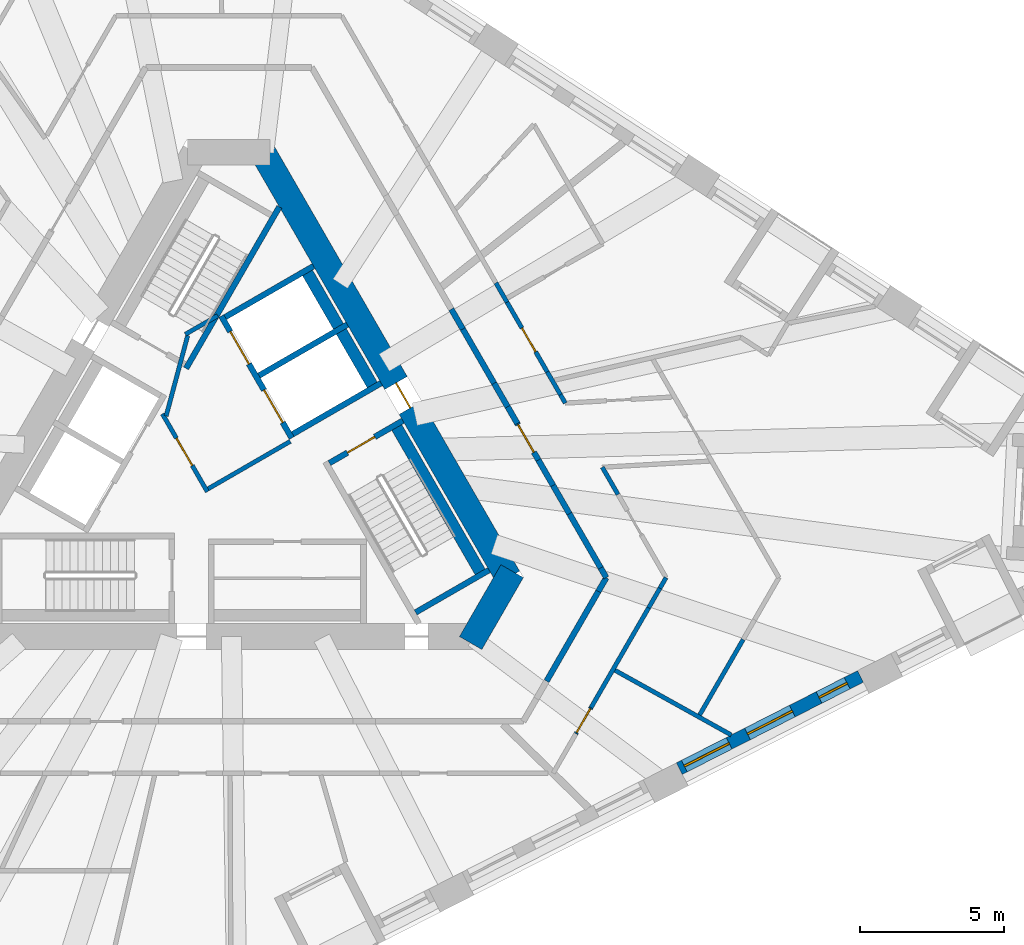
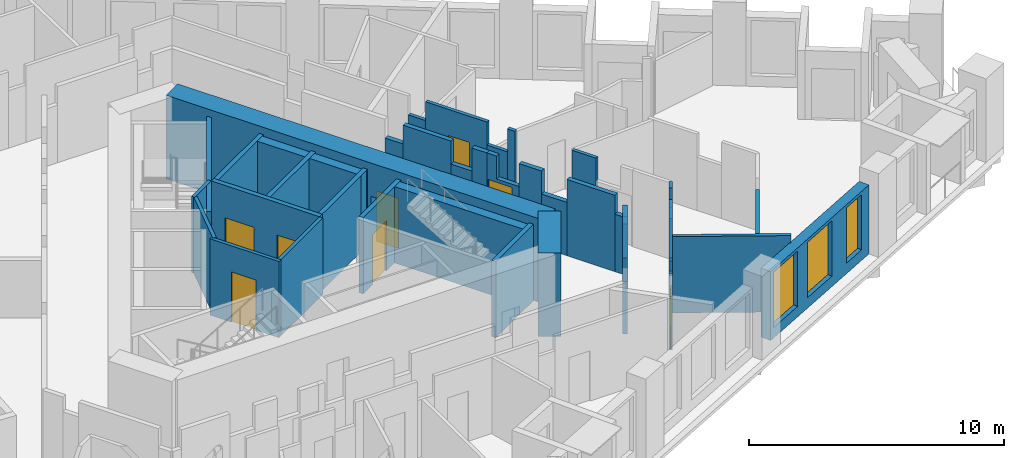
# One storey, part 5 of 13: 38 walls, 8 doors, 3 windows, 11 openings.
"""IFC4 building model written with IfcOpenShell, lengths in metres."""

import ifcopenshell
import ifcopenshell.guid

model = None  # the IFC model being written
_history = None  # IfcOwnerHistory: only IFC2X3 demands one
_inside = {}  # id of a spatial element -> (the spatial element, [elements in it])
_under = {}  # id of a project, library or spatial element -> (it, [spatial elements below it])
_declared = {}  # id of a project -> (the project, [libraries it declares])
_typed = {}  # id of a type object -> (the type object, [elements of that type])
_made_of = {}  # id of a material, layer set ... -> (it, [elements and type objects made of it])


def new_model(schema):
    """Start an empty IFC model of exactly this schema.

    Asked for "IFC4X3", IfcOpenShell would pick the latest addendum, in which some entities
    have other attributes; the version numbers below select the first issue.
    IFC2X3 requires an IfcOwnerHistory on every rooted entity: one is made here for all.
    """
    global model, _history
    if schema == "IFC4X3":
        model = ifcopenshell.file(schema_version=(4, 3, 0, 0))
    else:
        model = ifcopenshell.file(schema=schema)
    _inside.clear()
    _under.clear()
    _declared.clear()
    _typed.clear()
    _made_of.clear()
    _history = None
    if model.schema == "IFC2X3":
        org = make("IfcOrganization", Name="unknown")
        user = make(
            "IfcPersonAndOrganization",
            ThePerson=make("IfcPerson", FamilyName="unknown"),
            TheOrganization=org,
        )
        app = make(
            "IfcApplication",
            ApplicationDeveloper=org,
            Version="unknown",
            ApplicationFullName="unknown",
            ApplicationIdentifier="unknown",
        )
        _history = make(
            "IfcOwnerHistory",
            OwningUser=user,
            OwningApplication=app,
            ChangeAction="ADDED",
            CreationDate=0,
        )
    return model


def make(cls, **values):
    """One entity of the class cls with the attributes given. An attribute that is None is left unset."""
    return model.create_entity(
        cls, **{name: value for name, value in values.items() if value is not None}
    )


def rooted(cls, **values):
    """An entity with a GlobalId (a new one), such as an element, a storey or a relation."""
    return make(cls, GlobalId=ifcopenshell.guid.new(), OwnerHistory=_history, **values)


def si_unit(unit_type, name, prefix=None):
    """IfcSIUnit, for example si_unit("LENGTHUNIT", "METRE", prefix="MILLI")."""
    return make("IfcSIUnit", UnitType=unit_type, Prefix=prefix, Name=name)


def assignment(units):
    """IfcUnitAssignment: the units of a project."""
    return None if units is None else make("IfcUnitAssignment", Units=units)


def point(xyz):
    """IfcCartesianPoint."""
    return None if xyz is None else make("IfcCartesianPoint", Coordinates=xyz)


def direction(xyz):
    """IfcDirection."""
    return None if xyz is None else make("IfcDirection", DirectionRatios=xyz)


def frame(location, z_axis=None, x_axis=None):
    """IfcAxis2Placement3D, a coordinate frame: its origin and axes. An axis left out is left unset."""
    return make(
        "IfcAxis2Placement3D",
        Location=point(location),
        Axis=direction(z_axis),
        RefDirection=direction(x_axis),
    )


def frame_2d(location, x_axis=None):
    """IfcAxis2Placement2D, a coordinate frame in the plane: its origin and x axis."""
    return make(
        "IfcAxis2Placement2D", Location=point(location), RefDirection=direction(x_axis)
    )


def origin():
    """The frame at (0, 0, 0) with its axes left unset."""
    return frame((0.0, 0.0, 0.0))


def place(relative_to, where):
    """IfcLocalPlacement: puts the frame where relative to a parent placement (None: the world)."""
    return make(
        "IfcLocalPlacement", PlacementRelTo=relative_to, RelativePlacement=where
    )


def context(
    kind, dimensions, precision=None, world=None, true_north=None, identifier=None
):
    """IfcGeometricRepresentationContext, for example the 3D "Model" context."""
    return make(
        "IfcGeometricRepresentationContext",
        ContextIdentifier=identifier,
        ContextType=kind,
        CoordinateSpaceDimension=dimensions,
        Precision=precision,
        WorldCoordinateSystem=world,
        TrueNorth=true_north,
    )


def subcontext(parent, identifier, kind, view, scale=None):
    """IfcGeometricRepresentationSubContext, for example "Body" below "Model"."""
    return make(
        "IfcGeometricRepresentationSubContext",
        ContextIdentifier=identifier,
        ContextType=kind,
        ParentContext=parent,
        TargetScale=scale,
        TargetView=view,
    )


def project(units=None, contexts=None):
    """IfcProject with its units and contexts."""
    return rooted(
        "IfcProject",
        Name="project",
        RepresentationContexts=contexts,
        UnitsInContext=assignment(units),
    )


def spatial(cls, under=None, at=None, **own):
    """A site, building, storey or space (cls), placed at a placement, below another one or the project."""
    s = rooted(cls, ObjectPlacement=at, **own)
    if under is not None:
        _under.setdefault(under.id(), (under, []))[1].append(s)
    return s


def polyline(points):
    """IfcPolyline through the points."""
    return make("IfcPolyline", Points=[point(p) for p in points])


def profile(cls, at=None, kind="AREA", **sizes):
    """A parametric profile (cls). Its sizes go by their IFC names, for example OverallWidth=200.0."""
    return make(cls, ProfileType=kind, Position=at, **sizes)


def rectangle(**sizes):
    """IfcRectangleProfileDef."""
    return profile("IfcRectangleProfileDef", **sizes)


def outline(outer, holes=None, kind="AREA"):
    """IfcArbitraryClosedProfileDef: a profile drawn as a closed curve; with holes, ...WithVoids."""
    if holes is None:
        return make("IfcArbitraryClosedProfileDef", ProfileType=kind, OuterCurve=outer)
    return make(
        "IfcArbitraryProfileDefWithVoids",
        ProfileType=kind,
        OuterCurve=outer,
        InnerCurves=holes,
    )


def extrude(swept, where, along, depth):
    """IfcExtrudedAreaSolid: the profile swept, set in the frame where, extruded along a direction by depth."""
    return make(
        "IfcExtrudedAreaSolid",
        SweptArea=swept,
        Position=where,
        ExtrudedDirection=direction(along),
        Depth=depth,
    )


def shape(context_of_items, identifier, shape_type, items):
    """IfcShapeRepresentation: the items that make up one representation, for example the "Body"."""
    return make(
        "IfcShapeRepresentation",
        ContextOfItems=context_of_items,
        RepresentationIdentifier=identifier,
        RepresentationType=shape_type,
        Items=items,
    )


def material(Name=None, Category=None):
    """IfcMaterial."""
    return make("IfcMaterial", Name=Name, Category=Category)


def layer(
    of_material, thickness, ventilated=None, Name=None, Category=None, Priority=None
):
    """IfcMaterialLayer: one layer of a wall or slab, of a material (None: an air gap)."""
    return make(
        "IfcMaterialLayer",
        Material=of_material,
        LayerThickness=thickness,
        IsVentilated=ventilated,
        Name=Name,
        Category=Category,
        Priority=Priority,
    )


def layer_set(layers, Name=None):
    """IfcMaterialLayerSet."""
    return make("IfcMaterialLayerSet", MaterialLayers=layers, LayerSetName=Name)


def made_of(thing, what):
    """Note that an element or type object is made of a material, layer set ...; save() writes the relation."""
    if what is not None:
        _made_of.setdefault(what.id(), (what, []))[1].append(thing)
    return thing


def type_object(cls, material=None, **own):
    """A type object (cls), such as IfcWallType, which elements share."""
    return made_of(rooted(cls, **own), material)


def element(
    cls,
    number,
    at=None,
    inside=None,
    cuts=None,
    type_object=None,
    material=None,
    context=None,
    identifier="Body",
    shape_type=None,
    held_by="IfcProductDefinitionShape",
    body=None,
    shapes=None,
    **own,
):
    """One element of the class cls, such as IfcWall. Its Tag is "e" and its number.

    at: its placement. inside: the storey or other place that contains it. cuts: it is an
    opening in that element (IfcRelVoidsElement). A single representation is given by context,
    identifier, shape_type and body (its items); several are given by shapes. held_by: the class
    of the entity that holds the representations. save() writes the other relations.
    """
    e = rooted(cls, Tag="e%d" % number, ObjectPlacement=at, **own)
    if body is not None:
        shapes = [shape(context, identifier, shape_type, body)]
    if shapes is not None:
        e.Representation = make(held_by, Representations=shapes)
    if inside is not None:
        _inside.setdefault(inside.id(), (inside, []))[1].append(e)
    if cuts is not None:
        rooted(
            "IfcRelVoidsElement", RelatingBuildingElement=cuts, RelatedOpeningElement=e
        )
    if type_object is not None:
        _typed.setdefault(type_object.id(), (type_object, []))[1].append(e)
    return made_of(e, material)


def fill(opening, filler):
    """IfcRelFillsElement: the door or window that sits in an opening."""
    return rooted(
        "IfcRelFillsElement",
        RelatingOpeningElement=opening,
        RelatedBuildingElement=filler,
    )


def aggregate(whole, parts):
    """IfcRelAggregates: a whole, such as a stair, and the parts it consists of."""
    return rooted("IfcRelAggregates", RelatingObject=whole, RelatedObjects=parts)


def save(model, path):
    """Write the relations noted so far, then the file.

    IfcRelAggregates (storeys below a building ...), IfcRelContainedInSpatialStructure (elements
    in a storey), IfcRelDefinesByType, IfcRelAssociatesMaterial and IfcRelDeclares: one each for
    every whole, place, type object, material and project.
    """
    for whole, parts in _under.values():
        aggregate(whole, parts)
    for where, things in _inside.values():
        rooted(
            "IfcRelContainedInSpatialStructure",
            RelatedElements=things,
            RelatingStructure=where,
        )
    for kind, things in _typed.values():
        rooted("IfcRelDefinesByType", RelatedObjects=things, RelatingType=kind)
    for what, things in _made_of.values():
        rooted("IfcRelAssociatesMaterial", RelatedObjects=things, RelatingMaterial=what)
    for by, libraries in _declared.values():
        rooted("IfcRelDeclares", RelatingContext=by, RelatedDefinitions=libraries)
    model.write(path)


model = new_model("IFC4")

# Units and contexts
model_context = context("Model", 3, precision=1e-05, world=origin(), true_north=direction((0.0, 1.0)))
body_context = subcontext(model_context, "Body", "Model", "MODEL_VIEW")
ifc_project = project(units=[si_unit("LENGTHUNIT", "METRE"), si_unit("AREAUNIT", "SQUARE_METRE"), si_unit("VOLUMEUNIT", "CUBIC_METRE"), si_unit("PLANEANGLEUNIT", "RADIAN"), si_unit("MASSUNIT", "GRAM", prefix="KILO")], contexts=[model_context])

# Site, building, storey
site_placement = place(None, origin())
site = spatial("IfcSite", under=ifc_project, at=site_placement, CompositionType="ELEMENT")
building_placement = place(site_placement, origin())
building = spatial("IfcBuilding", under=site, at=building_placement, Name="Tramontana Tower", CompositionType="ELEMENT")
storey_placement = place(building_placement, frame((0.0, 0.0, 153.60009765625)))
storey = spatial("IfcBuildingStorey", under=building, at=storey_placement, Name="L35", CompositionType="ELEMENT", Elevation=153.60009765625)

# Wall
ifc_material_1 = material(Name="Concrete 70 MPa", Category="concrete")
ifc_layer_1 = layer(ifc_material_1, 0.89990234375)
ifc_layer_set_1 = layer_set([ifc_layer_1], Name="Core wall 900 70 MPa")
wall_type_1 = type_object("IfcWallType", Name="Core wall 900 70 MPa", PredefinedType="SHEAR", material=ifc_layer_set_1)
wall_1_placement = place(storey_placement, frame((8.414794921875, -6.52490234375, 0.0), z_axis=(0.0, 0.0, 1.0), x_axis=(0.500059191753, 0.865991226713, 0.0)))
element("IfcWall", 1, at=wall_1_placement, inside=storey, type_object=wall_type_1, Name="Core wall C4 L35", PredefinedType="SHEAR", context=body_context, shape_type="SweptSolid", body=[
    extrude(rectangle(XDim=2.886962890625, YDim=0.89990234375, at=frame_2d((1.443359375, 0.0))), origin(), (0.0, 0.0, 1.0), 4.0),
])

# Wall, opening, door
wall_2_placement = place(storey_placement, frame((9.728515625, -4.25, 0.0), z_axis=(0.0, 0.0, 1.0), x_axis=(-0.500004814304, 0.866022624227, 0.0)))
wall_2 = element("IfcWall", 2, at=wall_2_placement, inside=storey, type_object=wall_type_1, Name="Core wall C5 L35", PredefinedType="SHEAR", context=body_context, shape_type="SweptSolid", body=[
    extrude(rectangle(XDim=17.089599609375, YDim=0.89990234375, at=frame_2d((8.544921875, 0.0))), origin(), (0.0, 0.0, 1.0), 4.0),
])
opening_1_placement = place(wall_2_placement, frame((6.81982421875, 0.0, 0.0)))
opening_1 = element("IfcOpeningElement", 3, at=opening_1_placement, cuts=wall_2, Name="Opening RG3", PredefinedType="OPENING", context=body_context, shape_type="SweptSolid", body=[
    extrude(rectangle(XDim=1.0, YDim=2.39990234375, at=frame_2d((0.5, 1.199951171875))), frame((0.0, 0.4599609375, 0.0), z_axis=(0.0, -1.0, 0.0), x_axis=(1.0, 0.0, 0.0)), (0.0, 0.0, 1.0), 0.919921875),
])
ifc_material_2 = material(Name="Painted steel", Category="steel")
door_type_1 = type_object("IfcDoorType", Name="RING DOOR 1000", OperationType="SINGLE_SWING_LEFT", PredefinedType="DOOR", material=ifc_material_2)
door_1_placement = place(opening_1_placement, origin())
door_1 = element("IfcDoor", 4, at=door_1_placement, inside=storey, type_object=door_type_1, Name="Door RG3", OperationType="SINGLE_SWING_RIGHT", OverallHeight=2.39990234375, OverallWidth=1.0, PredefinedType="DOOR", context=body_context, shape_type="SweptSolid", body=[
    extrude(rectangle(XDim=1.0, YDim=2.39990234375, at=frame_2d((0.5, 1.199951171875))), frame((0.0, 0.02490234375, 0.0), z_axis=(0.0, -1.0, 0.0), x_axis=(1.0, 0.0, 0.0)), (0.0, 0.0, 1.0), 0.050048828125),
])
fill(opening_1, door_1)

# Walls
ifc_material_3 = material(Name="Blockwork", Category="masonry")
ifc_layer_2 = layer(ifc_material_3, 0.199951171875)
ifc_layer_set_2 = layer_set([ifc_layer_2], Name="ENTRY WALL 200")
wall_type_2 = type_object("IfcWallType", Name="ENTRY WALL 200", PredefinedType="SOLIDWALL", material=ifc_layer_set_2)
wall_3_placement = place(storey_placement, frame((7.7421875, 5.090087890625, 0.0), z_axis=(0.0, 0.0, 1.0), x_axis=(0.500109828528, -0.865961984968, 0.0)))
element("IfcWall", 5, at=wall_3_placement, inside=storey, type_object=wall_type_2, Name="Wall v32-ew0-3", PredefinedType="SOLIDWALL", context=body_context, shape_type="SweptSolid", body=[
    extrude(rectangle(XDim=0.800048828125, YDim=0.199951171875, at=frame_2d((0.39990234375, 0.0))), origin(), (0.0, 0.0, 1.0), 2.75),
])
wall_4_placement = place(storey_placement, frame((8.142333984375, 4.397216796875, 0.0), z_axis=(0.0, 0.0, 1.0), x_axis=(0.499948868167, -0.866054922749, 0.0)))
element("IfcWall", 6, at=wall_4_placement, inside=storey, type_object=wall_type_2, Name="Wall v32-ew0-4", PredefinedType="SOLIDWALL", context=body_context, shape_type="SweptSolid", body=[
    extrude(rectangle(XDim=2.177978515625, YDim=0.199951171875, at=frame_2d((1.0888671875, 0.0))), origin(), (0.0, 0.0, 1.0), 3.64990234375),
])
wall_5_placement = place(storey_placement, frame((9.231201171875, 2.510986328125, 0.0), z_axis=(0.0, 0.0, 1.0), x_axis=(0.500118100521, -0.865957207679, 0.0)))
element("IfcWall", 7, at=wall_5_placement, inside=storey, type_object=wall_type_2, Name="Wall v32-ew0-5", PredefinedType="SOLIDWALL", context=body_context, shape_type="SweptSolid", body=[
    extrude(rectangle(XDim=0.943603515625, YDim=0.199951171875, at=frame_2d((0.4716796875, 0.0))), origin(), (0.0, 0.0, 1.0), 2.5498046875),
])
wall_6_placement = place(storey_placement, frame((9.703125, 1.69384765625, 0.0), z_axis=(0.0, 0.0, 1.0), x_axis=(0.499764284991, -0.866161451144, 0.0)))
element("IfcWall", 8, at=wall_6_placement, inside=storey, type_object=wall_type_2, Name="Wall v32-ew0-6", PredefinedType="SOLIDWALL", context=body_context, shape_type="SweptSolid", body=[
    extrude(rectangle(XDim=0.673583984375, YDim=0.199951171875, at=frame_2d((0.3369140625, 0.0))), origin(), (0.0, 0.0, 1.0), 3.64990234375),
])

# Wall, opening, door
wall_7_placement = place(storey_placement, frame((10.039794921875, 1.1103515625, 0.0), z_axis=(0.0, 0.0, 1.0), x_axis=(0.499977492351, -0.866038398192, 0.0)))
wall_7 = element("IfcWall", 9, at=wall_7_placement, inside=storey, type_object=wall_type_2, Name="Wall v32-ew0-7", PredefinedType="SOLIDWALL", context=body_context, shape_type="SweptSolid", body=[
    extrude(outline(polyline([(0.0, 0.0), (1.4638671875, 0.0), (1.4638671875, 2.5498046875), (0.4404296875, 2.5498046875), (0.4404296875, 3.64990234375), (0.0, 3.64990234375), (0.0, 0.0)])), frame((0.0, 0.10009765625, 0.0), z_axis=(0.0, -1.0, 0.0), x_axis=(1.0, 0.0, 0.0)), (0.0, 0.0, 1.0), 0.199951171875),
])
opening_2_placement = place(wall_7_placement, frame((0.050048828125, 0.0, 0.0)))
opening_2 = element("IfcOpeningElement", 10, at=opening_2_placement, cuts=wall_7, Name="Opening B3C-23", PredefinedType="OPENING", context=body_context, shape_type="SweptSolid", body=[
    extrude(rectangle(XDim=1.10009765625, YDim=2.39990234375, at=frame_2d((0.550048828125, 1.199951171875))), frame((0.0, 0.10986328125, 0.0), z_axis=(0.0, -1.0, 0.0), x_axis=(1.0, 0.0, 0.0)), (0.0, 0.0, 1.0), 0.219970703125),
])
ifc_material_4 = material(Name="Painted timber", Category="wood")
door_type_2 = type_object("IfcDoorType", Name="DOOR ENTRY 1100", OperationType="SINGLE_SWING_LEFT", PredefinedType="DOOR", material=ifc_material_4)
door_2_placement = place(opening_2_placement, origin())
door_2 = element("IfcDoor", 11, at=door_2_placement, inside=storey, type_object=door_type_2, Name="Door B3C-23", OperationType="SINGLE_SWING_LEFT", OverallHeight=2.39990234375, OverallWidth=1.10009765625, PredefinedType="DOOR", context=body_context, shape_type="SweptSolid", body=[
    extrude(rectangle(XDim=1.10009765625, YDim=2.39990234375, at=frame_2d((0.550048828125, 1.199951171875))), frame((0.0, 0.02490234375, 0.0), z_axis=(0.0, -1.0, 0.0), x_axis=(1.0, 0.0, 0.0)), (0.0, 0.0, 1.0), 0.050048828125),
])
fill(opening_2, door_2)

# Walls
wall_8_placement = place(storey_placement, frame((10.771728515625, -0.157470703125, 0.0), z_axis=(0.0, 0.0, 1.0), x_axis=(0.500170198676, -0.865927117231, 0.0)))
element("IfcWall", 12, at=wall_8_placement, inside=storey, type_object=wall_type_2, Name="Wall v32-ew0-8", PredefinedType="SOLIDWALL", context=body_context, shape_type="SweptSolid", body=[
    extrude(rectangle(XDim=1.022705078125, YDim=0.199951171875, at=frame_2d((0.51123046875, 0.0))), origin(), (0.0, 0.0, 1.0), 3.64990234375),
])
wall_9_placement = place(storey_placement, frame((11.283203125, -1.04296875, 0.0), z_axis=(0.0, 0.0, 1.0), x_axis=(0.500001688065, -0.866024429177, 0.0)))
element("IfcWall", 13, at=wall_9_placement, inside=storey, type_object=wall_type_2, Name="Wall v32-ew0-9", PredefinedType="SOLIDWALL", context=body_context, shape_type="SweptSolid", body=[
    extrude(rectangle(XDim=1.13525390625, YDim=0.199951171875, at=frame_2d((0.567626953125, 0.0))), origin(), (0.0, 0.0, 1.0), 2.5498046875),
])
wall_10_placement = place(storey_placement, frame((11.850830078125, -2.026123046875, 0.0), z_axis=(0.0, 0.0, 1.0), x_axis=(0.50001992892, -0.866013897511, 0.0)))
element("IfcWall", 14, at=wall_10_placement, inside=storey, type_object=wall_type_2, Name="Wall v32-ew0-10", PredefinedType="SOLIDWALL", context=body_context, shape_type="SweptSolid", body=[
    extrude(rectangle(XDim=2.1787109375, YDim=0.199951171875, at=frame_2d((1.08935546875, 0.0))), origin(), (0.0, 0.0, 1.0), 3.64990234375),
])
wall_11_placement = place(storey_placement, frame((12.940185546875, -3.912841796875, 0.0), z_axis=(0.0, 0.0, 1.0), x_axis=(0.499849133735, -0.866112488944, 0.0)))
element("IfcWall", 15, at=wall_11_placement, inside=storey, type_object=wall_type_2, Name="Wall v32-ew0-11", PredefinedType="SOLIDWALL", context=body_context, shape_type="SweptSolid", body=[
    extrude(rectangle(XDim=0.38916015625, YDim=0.199951171875, at=frame_2d((0.194580078125, 0.0))), origin(), (0.0, 0.0, 1.0), 2.75),
])
wall_12_placement = place(storey_placement, frame((13.134765625, -4.25, 0.0), z_axis=(0.0, 0.0, 1.0), x_axis=(-0.499887958344, -0.866090081402, 0.0)))
element("IfcWall", 16, at=wall_12_placement, inside=storey, type_object=wall_type_2, Name="Wall v32-ew1-0", PredefinedType="SOLIDWALL", context=body_context, shape_type="SweptSolid", body=[
    extrude(rectangle(XDim=0.553466796875, YDim=0.199951171875, at=frame_2d((0.27685546875, 0.0))), origin(), (0.0, 0.0, 1.0), 2.75),
])
wall_13_placement = place(storey_placement, frame((12.858154296875, -4.729248046875, 0.0), z_axis=(0.0, 0.0, 1.0), x_axis=(-0.500031425827, -0.866007259314, 0.0)))
element("IfcWall", 17, at=wall_13_placement, inside=storey, type_object=wall_type_2, Name="Wall v32-ew1-1", PredefinedType="SOLIDWALL", context=body_context, shape_type="SweptSolid", body=[
    extrude(rectangle(XDim=3.602294921875, YDim=0.199951171875, at=frame_2d((1.80126953125, 0.0))), origin(), (0.0, 0.0, 1.0), 3.64990234375),
])

# Wall, openings, windows
ifc_material_5 = material(Name="Precast concrete 60 MPa", Category="concrete")
ifc_layer_3 = layer(ifc_material_5, 0.449951171875)
ifc_layer_set_3 = layer_set([ifc_layer_3], Name="Precast concrete 60 MPa, 450 mm")
wall_type_3 = type_object("IfcWallType", Name="EW1 Stone-faced precast wall 450", PredefinedType="SOLIDWALL", material=ifc_layer_set_3)
wall_14_placement = place(storey_placement, frame((15.6767578125, -10.8955078125, 0.0), z_axis=(0.0, 0.0, 1.0), x_axis=(0.891004189171, 0.45399508244, 0.0)))
wall_14 = element("IfcWall", 18, at=wall_14_placement, inside=storey, type_object=wall_type_3, Name="External wall L35 face 1 bay 5", PredefinedType="SOLIDWALL", context=body_context, shape_type="SweptSolid", body=[
    extrude(rectangle(XDim=7.071533203125, YDim=0.449951171875, at=frame_2d((3.53564453125, 0.0))), origin(), (0.0, 0.0, 1.0), 3.2998046875),
])
opening_3_placement = place(wall_14_placement, frame((0.1953125, 0.0, 0.5)))
opening_3 = element("IfcOpeningElement", 19, at=opening_3_placement, cuts=wall_14, Name="Opening M2", PredefinedType="OPENING", context=body_context, shape_type="SweptSolid", body=[
    extrude(rectangle(XDim=1.75, YDim=2.64990234375, at=frame_2d((0.875, 1.324951171875))), frame((0.0, 0.23486328125, 0.0), z_axis=(0.0, -1.0, 0.0), x_axis=(1.0, 0.0, 0.0)), (0.0, 0.0, 1.0), 0.469970703125),
])
opening_4_placement = place(wall_14_placement, frame((2.660888671875, 0.0, 0.5)))
opening_4 = element("IfcOpeningElement", 20, at=opening_4_placement, cuts=wall_14, Name="Opening M2", PredefinedType="OPENING", context=body_context, shape_type="SweptSolid", body=[
    extrude(rectangle(XDim=1.75, YDim=2.64990234375, at=frame_2d((0.875, 1.324951171875))), frame((0.0, 0.23486328125, 0.0), z_axis=(0.0, -1.0, 0.0), x_axis=(1.0, 0.0, 0.0)), (0.0, 0.0, 1.0), 0.469970703125),
])
opening_5_placement = place(wall_14_placement, frame((5.451416015625, 0.0, 0.5)))
opening_5 = element("IfcOpeningElement", 21, at=opening_5_placement, cuts=wall_14, Name="Opening N2", PredefinedType="OPENING", context=body_context, shape_type="SweptSolid", body=[
    extrude(rectangle(XDim=1.10009765625, YDim=2.64990234375, at=frame_2d((0.550048828125, 1.324951171875))), frame((0.0, 0.23486328125, 0.0), z_axis=(0.0, -1.0, 0.0), x_axis=(1.0, 0.0, 0.0)), (0.0, 0.0, 1.0), 0.469970703125),
])
ifc_material_6 = material(Name="Aluminum frame, double glazing unit", Category="aluminium")
window_type_1 = type_object("IfcWindowType", Name="M2 Window 1.75 x 2.65", PartitioningType="SINGLE_PANEL", PredefinedType="WINDOW", material=ifc_material_6)
window_1_placement = place(opening_3_placement, origin())
window_1 = element("IfcWindow", 22, at=window_1_placement, inside=storey, type_object=window_type_1, Name="Window M2 L35 face 1 module 13", OverallHeight=2.64990234375, OverallWidth=1.75, PartitioningType="SINGLE_PANEL", PredefinedType="WINDOW", context=body_context, shape_type="SweptSolid", body=[
    extrude(rectangle(XDim=1.75, YDim=2.64990234375, at=frame_2d((0.875, 1.324951171875))), frame((0.0, 0.030029296875, 0.0), z_axis=(0.0, -1.0, 0.0), x_axis=(1.0, 0.0, 0.0)), (0.0, 0.0, 1.0), 0.06005859375),
])
fill(opening_3, window_1)
window_2_placement = place(opening_4_placement, origin())
window_2 = element("IfcWindow", 23, at=window_2_placement, inside=storey, type_object=window_type_1, Name="Window M2 L35 face 1 module 14", OverallHeight=2.64990234375, OverallWidth=1.75, PartitioningType="SINGLE_PANEL", PredefinedType="WINDOW", context=body_context, shape_type="SweptSolid", body=[
    extrude(rectangle(XDim=1.75, YDim=2.64990234375, at=frame_2d((0.875, 1.324951171875))), frame((0.0, 0.030029296875, 0.0), z_axis=(0.0, -1.0, 0.0), x_axis=(1.0, 0.0, 0.0)), (0.0, 0.0, 1.0), 0.06005859375),
])
fill(opening_4, window_2)
ifc_material_7 = material(Name="Aluminum frame, double glazing unit", Category="aluminium")
window_type_2 = type_object("IfcWindowType", Name="N2 Window 1.1 x 2.65", PartitioningType="SINGLE_PANEL", PredefinedType="WINDOW", material=ifc_material_7)
window_3_placement = place(opening_5_placement, origin())
window_3 = element("IfcWindow", 24, at=window_3_placement, inside=storey, type_object=window_type_2, Name="Window N2 L35 face 1 module 15", OverallHeight=2.64990234375, OverallWidth=1.10009765625, PartitioningType="SINGLE_PANEL", PredefinedType="WINDOW", context=body_context, shape_type="SweptSolid", body=[
    extrude(rectangle(XDim=1.10009765625, YDim=2.64990234375, at=frame_2d((0.550048828125, 1.324951171875))), frame((0.0, 0.030029296875, 0.0), z_axis=(0.0, -1.0, 0.0), x_axis=(1.0, 0.0, 0.0)), (0.0, 0.0, 1.0), 0.06005859375),
])
fill(opening_5, window_3)

# Wall, opening, door
ifc_material_8 = material(Name="Gypsum board partition")
ifc_layer_4 = layer(ifc_material_8, 0.14990234375)
ifc_layer_set_4 = layer_set([ifc_layer_4], Name="PARTITION 150")
wall_type_4 = type_object("IfcWallType", Name="PARTITION 150", PredefinedType="PARTITIONING", material=ifc_layer_set_4)
wall_15_placement = place(storey_placement, frame((-0.744140625, -1.260986328125, 0.0), z_axis=(0.0, 0.0, 1.0), x_axis=(-0.500004234368, 0.866022959057, 0.0)))
wall_15 = element("IfcWall", 25, at=wall_15_placement, inside=storey, type_object=wall_type_4, Name="Wall ff-front", PredefinedType="PARTITIONING", context=body_context, shape_type="SweptSolid", body=[
    extrude(rectangle(XDim=3.125, YDim=0.14990234375, at=frame_2d((1.5625, 0.0))), origin(), (0.0, 0.0, 1.0), 3.64990234375),
])
opening_6_placement = place(wall_15_placement, frame((1.050048828125, 0.0, 0.0)))
opening_6 = element("IfcOpeningElement", 26, at=opening_6_placement, cuts=wall_15, Name="Opening FD1", PredefinedType="OPENING", context=body_context, shape_type="SweptSolid", body=[
    extrude(rectangle(XDim=1.10009765625, YDim=2.39990234375, at=frame_2d((0.550048828125, 1.199951171875))), frame((0.0, 0.0849609375, 0.0), z_axis=(0.0, -1.0, 0.0), x_axis=(1.0, 0.0, 0.0)), (0.0, 0.0, 1.0), 0.169921875),
])
door_3_placement = place(opening_6_placement, origin())
door_3 = element("IfcDoor", 27, at=door_3_placement, inside=storey, type_object=door_type_2, Name="Door FD1", OperationType="SINGLE_SWING_LEFT", OverallHeight=2.39990234375, OverallWidth=1.10009765625, PredefinedType="DOOR", context=body_context, shape_type="SweptSolid", body=[
    extrude(rectangle(XDim=1.10009765625, YDim=2.39990234375, at=frame_2d((0.550048828125, 1.199951171875))), frame((0.0, 0.02490234375, 0.0), z_axis=(0.0, -1.0, 0.0), x_axis=(1.0, 0.0, 0.0)), (0.0, 0.0, 1.0), 0.050048828125),
])
fill(opening_6, door_3)

# Walls
wall_16_placement = place(storey_placement, frame((-0.716796875, -1.15869140625, 0.0), z_axis=(0.0, 0.0, 1.0), x_axis=(0.866008176907, 0.50002983664, 0.0)))
element("IfcWall", 28, at=wall_16_placement, inside=storey, type_object=wall_type_4, Name="Wall ff-end0", PredefinedType="PARTITIONING", context=body_context, shape_type="SweptSolid", body=[
    extrude(rectangle(XDim=3.300048828125, YDim=0.14990234375, at=frame_2d((1.64990234375, 0.0))), origin(), (0.0, 0.0, 1.0), 3.64990234375),
])
wall_17_placement = place(storey_placement, frame((-2.177978515625, 1.372314453125, 0.0), z_axis=(0.0, 0.0, 1.0), x_axis=(0.258808958833, 0.96592852884, 0.0)))
element("IfcWall", 29, at=wall_17_placement, inside=storey, type_object=wall_type_4, Name="Wall ff-diag", PredefinedType="PARTITIONING", context=body_context, shape_type="SweptSolid", body=[
    extrude(rectangle(XDim=2.902587890625, YDim=0.14990234375, at=frame_2d((1.451171875, 0.0))), origin(), (0.0, 0.0, 1.0), 3.64990234375),
])
wall_18_placement = place(storey_placement, frame((-1.509765625, 4.21484375, 0.0), z_axis=(0.0, 0.0, 1.0), x_axis=(0.866085525409, 0.49989585183, 0.0)))
element("IfcWall", 30, at=wall_18_placement, inside=storey, type_object=wall_type_4, Name="Wall ff-end1", PredefinedType="PARTITIONING", context=body_context, shape_type="SweptSolid", body=[
    extrude(rectangle(XDim=1.300048828125, YDim=0.14990234375, at=frame_2d((0.64990234375, 0.0))), origin(), (0.0, 0.0, 1.0), 3.64990234375),
])
wall_19_placement = place(storey_placement, frame((9.2939453125, 6.00244140625, 0.0), z_axis=(0.0, 0.0, 1.0), x_axis=(0.499831512295, -0.866122658356, 0.0)))
element("IfcWall", 31, at=wall_19_placement, inside=storey, type_object=wall_type_4, Name="Wall v32-pw20-3", PredefinedType="PARTITIONING", context=body_context, shape_type="SweptSolid", body=[
    extrude(rectangle(XDim=0.775146484375, YDim=0.14990234375, at=frame_2d((0.3876953125, 0.0))), origin(), (0.0, 0.0, 1.0), 2.75),
])

# Wall, opening, door
wall_20_placement = place(storey_placement, frame((9.681396484375, 5.3310546875, 0.0), z_axis=(0.0, 0.0, 1.0), x_axis=(0.500034735108, -0.866005348532, 0.0)))
wall_20 = element("IfcWall", 32, at=wall_20_placement, inside=storey, type_object=wall_type_4, Name="Wall v32-pw20-4", PredefinedType="PARTITIONING", context=body_context, shape_type="SweptSolid", body=[
    extrude(rectangle(XDim=2.797119140625, YDim=0.14990234375, at=frame_2d((1.3984375, 0.0))), origin(), (0.0, 0.0, 1.0), 3.64990234375),
])
opening_7_placement = place(wall_20_placement, frame((1.038330078125, 0.0, 0.0)))
opening_7 = element("IfcOpeningElement", 33, at=opening_7_placement, cuts=wall_20, Name="Opening B3C-19", PredefinedType="OPENING", context=body_context, shape_type="SweptSolid", body=[
    extrude(rectangle(XDim=0.949951171875, YDim=2.39990234375, at=frame_2d((0.47509765625, 1.199951171875))), frame((0.0, 0.0849609375, 0.0), z_axis=(0.0, -1.0, 0.0), x_axis=(1.0, 0.0, 0.0)), (0.0, 0.0, 1.0), 0.169921875),
])
ifc_material_9 = material(Name="Painted timber", Category="wood")
door_type_3 = type_object("IfcDoorType", Name="DOOR ROOM 950", OperationType="SINGLE_SWING_LEFT", PredefinedType="DOOR", material=ifc_material_9)
door_4_placement = place(opening_7_placement, origin())
door_4 = element("IfcDoor", 34, at=door_4_placement, inside=storey, type_object=door_type_3, Name="Door B3C-19", OperationType="SINGLE_SWING_LEFT", OverallHeight=2.39990234375, OverallWidth=0.949951171875, PredefinedType="DOOR", context=body_context, shape_type="SweptSolid", body=[
    extrude(rectangle(XDim=0.949951171875, YDim=2.39990234375, at=frame_2d((0.47509765625, 1.199951171875))), frame((0.0, 0.02490234375, 0.0), z_axis=(0.0, -1.0, 0.0), x_axis=(1.0, 0.0, 0.0)), (0.0, 0.0, 1.0), 0.050048828125),
])
fill(opening_7, door_4)

# Walls
wall_21_placement = place(storey_placement, frame((11.080078125, 2.90869140625, 0.0), z_axis=(0.0, 0.0, 1.0), x_axis=(0.500060322201, -0.865990573944, 0.0)))
element("IfcWall", 35, at=wall_21_placement, inside=storey, type_object=wall_type_4, Name="Wall v32-pw20-5", PredefinedType="PARTITIONING", context=body_context, shape_type="SweptSolid", body=[
    extrude(rectangle(XDim=0.91748046875, YDim=0.14990234375, at=frame_2d((0.458740234375, 0.0))), origin(), (0.0, 0.0, 1.0), 2.5498046875),
])
wall_22_placement = place(storey_placement, frame((11.538818359375, 2.1142578125, 0.0), z_axis=(0.0, 0.0, 1.0), x_axis=(0.500013496215, -0.866017611601, 0.0)))
element("IfcWall", 36, at=wall_22_placement, inside=storey, type_object=wall_type_4, Name="Wall v32-pw20-6", PredefinedType="PARTITIONING", context=body_context, shape_type="SweptSolid", body=[
    extrude(rectangle(XDim=0.3388671875, YDim=0.14990234375, at=frame_2d((0.16943359375, 0.0))), origin(), (0.0, 0.0, 1.0), 3.64990234375),
])
wall_23_placement = place(storey_placement, frame((12.995849609375, -0.409423828125, 0.0), z_axis=(0.0, 0.0, 1.0), x_axis=(0.499890179513, -0.866088799389, 0.0)))
element("IfcWall", 37, at=wall_23_placement, inside=storey, type_object=wall_type_4, Name="Wall v32-pw27-0", PredefinedType="PARTITIONING", context=body_context, shape_type="SweptSolid", body=[
    extrude(rectangle(XDim=1.092041015625, YDim=0.14990234375, at=frame_2d((0.5458984375, 0.0))), origin(), (0.0, 0.0, 1.0), 3.64990234375),
])
wall_24_placement = place(storey_placement, frame((15.213134765625, -4.25, 0.0), z_axis=(0.0, 0.0, 1.0), x_axis=(-0.499922110319, -0.866070368743, 0.0)))
element("IfcWall", 38, at=wall_24_placement, inside=storey, type_object=wall_type_4, Name="Wall v32-pw31-0", PredefinedType="PARTITIONING", context=body_context, shape_type="SweptSolid", body=[
    extrude(rectangle(XDim=0.42333984375, YDim=0.14990234375, at=frame_2d((0.211669921875, 0.0))), origin(), (0.0, 0.0, 1.0), 3.64990234375),
])
wall_25_placement = place(storey_placement, frame((15.00146484375, -4.61669921875, 0.0), z_axis=(0.0, 0.0, 1.0), x_axis=(-0.49989173393, -0.866087902207, 0.0)))
element("IfcWall", 39, at=wall_25_placement, inside=storey, type_object=wall_type_4, Name="Wall v32-pw31-1", PredefinedType="PARTITIONING", context=body_context, shape_type="SweptSolid", body=[
    extrude(rectangle(XDim=0.790771484375, YDim=0.14990234375, at=frame_2d((0.3955078125, 0.0))), origin(), (0.0, 0.0, 1.0), 2.75),
])
wall_26_placement = place(storey_placement, frame((14.606201171875, -5.301513671875, 0.0), z_axis=(0.0, 0.0, 1.0), x_axis=(-0.500019656837, -0.866014054607, 0.0)))
element("IfcWall", 40, at=wall_26_placement, inside=storey, type_object=wall_type_4, Name="Wall v32-pw31-2", PredefinedType="PARTITIONING", context=body_context, shape_type="SweptSolid", body=[
    extrude(rectangle(XDim=4.005615234375, YDim=0.14990234375, at=frame_2d((2.0029296875, 0.0))), origin(), (0.0, 0.0, 1.0), 3.64990234375),
])

# Wall, opening, door
wall_27_placement = place(storey_placement, frame((12.603271484375, -8.7705078125, 0.0), z_axis=(0.0, 0.0, 1.0), x_axis=(-0.500064554934, -0.865988129768, 0.0)))
wall_27 = element("IfcWall", 41, at=wall_27_placement, inside=storey, type_object=wall_type_4, Name="Wall v32-pw31-3", PredefinedType="PARTITIONING", context=body_context, shape_type="SweptSolid", body=[
    extrude(outline(polyline([(0.0, 0.0), (1.050048828125, 0.0), (1.050048828125, 3.64990234375), (0.883544921875, 3.64990234375), (0.883544921875, 2.949951171875), (0.203857421875, 2.949951171875), (0.203857421875, 3.64990234375), (0.0, 3.64990234375), (0.0, 0.0)])), frame((0.0, 0.074951171875, 0.0), z_axis=(0.0, -1.0, 0.0), x_axis=(1.0, 0.0, 0.0)), (0.0, 0.0, 1.0), 0.14990234375),
])
opening_8_placement = place(wall_27_placement, frame((0.050048828125, 0.0, 0.0)))
opening_8 = element("IfcOpeningElement", 42, at=opening_8_placement, cuts=wall_27, Name="Opening B3C-18", PredefinedType="OPENING", context=body_context, shape_type="SweptSolid", body=[
    extrude(rectangle(XDim=0.949951171875, YDim=2.39990234375, at=frame_2d((0.47509765625, 1.199951171875))), frame((0.0, 0.0849609375, 0.0), z_axis=(0.0, -1.0, 0.0), x_axis=(1.0, 0.0, 0.0)), (0.0, 0.0, 1.0), 0.169921875),
])
door_5_placement = place(opening_8_placement, origin())
door_5 = element("IfcDoor", 43, at=door_5_placement, inside=storey, type_object=door_type_3, Name="Door B3C-18", OperationType="SINGLE_SWING_RIGHT", OverallHeight=2.39990234375, OverallWidth=0.949951171875, PredefinedType="DOOR", context=body_context, shape_type="SweptSolid", body=[
    extrude(rectangle(XDim=0.949951171875, YDim=2.39990234375, at=frame_2d((0.47509765625, 1.199951171875))), frame((0.0, 0.02490234375, 0.0), z_axis=(0.0, -1.0, 0.0), x_axis=(1.0, 0.0, 0.0)), (0.0, 0.0, 1.0), 0.050048828125),
])
fill(opening_8, door_5)

# Walls
wall_28_placement = place(storey_placement, frame((17.481689453125, -9.72314453125, 0.0), z_axis=(0.0, 0.0, 1.0), x_axis=(-0.873935661158, 0.486041623893, 0.0)))
element("IfcWall", 44, at=wall_28_placement, inside=storey, type_object=wall_type_4, Name="Wall v32-pw33", PredefinedType="PARTITIONING", context=body_context, shape_type="SweptSolid", body=[
    extrude(rectangle(XDim=4.626708984375, YDim=0.14990234375, at=frame_2d((2.3134765625, 0.0))), origin(), (0.0, 0.0, 1.0), 3.64990234375),
])
wall_29_placement = place(storey_placement, frame((17.895751953125, -6.403564453125, 0.0), z_axis=(0.0, 0.0, 1.0), x_axis=(-0.500015609314, -0.866016391555, 0.0)))
element("IfcWall", 45, at=wall_29_placement, inside=storey, type_object=wall_type_4, Name="Wall v32-pw36-2", PredefinedType="PARTITIONING", context=body_context, shape_type="SweptSolid", body=[
    extrude(rectangle(XDim=3.02783203125, YDim=0.14990234375, at=frame_2d((1.513916015625, 0.0))), origin(), (0.0, 0.0, 1.0), 3.64990234375),
])
ifc_material_10 = material(Name="Concrete 70 MPa", Category="concrete")
ifc_layer_5 = layer(ifc_material_10, 0.39990234375)
ifc_layer_set_5 = layer_set([ifc_layer_5], Name="Concrete 70 MPa, 400 mm")
wall_type_5 = type_object("IfcWallType", Name="RC SHAFT BACK WALL 400", PredefinedType="SOLIDWALL", material=ifc_layer_set_5)
wall_30_placement = place(storey_placement, frame((8.846435546875, -4.222412109375, 0.0), z_axis=(0.0, 0.0, 1.0), x_axis=(-0.500009909098, 0.866019682689, 0.0)))
element("IfcWall", 46, at=wall_30_placement, inside=storey, type_object=wall_type_5, Name="Wall st3-back", PredefinedType="SOLIDWALL", context=body_context, shape_type="SweptSolid", body=[
    extrude(rectangle(XDim=6.199951171875, YDim=0.39990234375, at=frame_2d((3.10009765625, 0.0))), origin(), (0.0, 0.0, 1.0), 3.64990234375),
])
wall_31_placement = place(storey_placement, frame((5.091552734375, 2.28125, 0.0), z_axis=(0.0, 0.0, 1.0), x_axis=(-0.500018594424, 0.866014668023, 0.0)))
element("IfcWall", 47, at=wall_31_placement, inside=storey, type_object=wall_type_5, Name="Wall row2-back", PredefinedType="SOLIDWALL", context=body_context, shape_type="SweptSolid", body=[
    extrude(rectangle(XDim=4.900146484375, YDim=0.39990234375, at=frame_2d((2.4501953125, 0.0))), origin(), (0.0, 0.0, 1.0), 3.64990234375),
])
ifc_material_11 = material(Name="Concrete 70 MPa", Category="concrete")
ifc_layer_6 = layer(ifc_material_11, 0.199951171875)
ifc_layer_set_6 = layer_set([ifc_layer_6], Name="Concrete 70 MPa, 200 mm")
wall_type_6 = type_object("IfcWallType", Name="RC STAIR AND SHAFT WALL 200", PredefinedType="SOLIDWALL", material=ifc_layer_set_6)
wall_32_placement = place(storey_placement, frame((1.760986328125, 8.64990234375, 0.0), z_axis=(0.0, 0.0, 1.0), x_axis=(-0.500010023241, -0.866019616786, 0.0)))
element("IfcWall", 48, at=wall_32_placement, inside=storey, type_object=wall_type_6, Name="Wall st1-front", PredefinedType="SOLIDWALL", context=body_context, shape_type="SweptSolid", body=[
    extrude(rectangle(XDim=6.491455078125, YDim=0.199951171875, at=frame_2d((3.24560546875, 0.0))), origin(), (0.0, 0.0, 1.0), 3.64990234375),
])
wall_33_placement = place(storey_placement, frame((6.50146484375, -5.4609375, 0.0), z_axis=(0.0, 0.0, 1.0), x_axis=(0.866003658127, 0.500037662692, 0.0)))
element("IfcWall", 49, at=wall_33_placement, inside=storey, type_object=wall_type_6, Name="Wall st3-far", PredefinedType="SOLIDWALL", context=body_context, shape_type="SweptSolid", body=[
    extrude(rectangle(XDim=2.949951171875, YDim=0.199951171875, at=frame_2d((1.47509765625, 0.0))), origin(), (0.0, 0.0, 1.0), 3.64990234375),
])

# Wall, opening, door
wall_34_placement = place(storey_placement, frame((3.50146484375, -0.2646484375, 0.0), z_axis=(0.0, 0.0, 1.0), x_axis=(0.866039495442, 0.49997559174, 0.0)))
wall_34 = element("IfcWall", 50, at=wall_34_placement, inside=storey, type_object=wall_type_6, Name="Wall st3-near", PredefinedType="SOLIDWALL", context=body_context, shape_type="SweptSolid", body=[
    extrude(rectangle(XDim=2.949951171875, YDim=0.199951171875, at=frame_2d((1.47509765625, 0.0))), origin(), (0.0, 0.0, 1.0), 3.64990234375),
])
opening_9_placement = place(wall_34_placement, frame((0.72509765625, 0.0, 0.0)))
opening_9 = element("IfcOpeningElement", 51, at=opening_9_placement, cuts=wall_34, Name="Opening SD3", PredefinedType="OPENING", context=body_context, shape_type="SweptSolid", body=[
    extrude(rectangle(XDim=1.10009765625, YDim=2.39990234375, at=frame_2d((0.550048828125, 1.199951171875))), frame((0.0, 0.10986328125, 0.0), z_axis=(0.0, -1.0, 0.0), x_axis=(1.0, 0.0, 0.0)), (0.0, 0.0, 1.0), 0.219970703125),
])
ifc_material_12 = material(Name="Painted steel", Category="steel")
door_type_4 = type_object("IfcDoorType", Name="STAIR DOOR 1100", OperationType="SINGLE_SWING_LEFT", PredefinedType="DOOR", material=ifc_material_12)
door_6_placement = place(opening_9_placement, origin())
door_6 = element("IfcDoor", 52, at=door_6_placement, inside=storey, type_object=door_type_4, Name="Door SD3", OperationType="SINGLE_SWING_RIGHT", OverallHeight=2.39990234375, OverallWidth=1.10009765625, PredefinedType="DOOR", context=body_context, shape_type="SweptSolid", body=[
    extrude(rectangle(XDim=1.10009765625, YDim=2.39990234375, at=frame_2d((0.550048828125, 1.199951171875))), frame((0.0, 0.02490234375, 0.0), z_axis=(0.0, -1.0, 0.0), x_axis=(1.0, 0.0, 0.0)), (0.0, 0.0, 1.0), 0.050048828125),
])
fill(opening_9, door_6)

# Wall, openings, doors
wall_35_placement = place(storey_placement, frame((2.190185546875, 0.6064453125, 0.0), z_axis=(0.0, 0.0, 1.0), x_axis=(-0.500002801628, 0.866023786258, 0.0)))
wall_35 = element("IfcWall", 53, at=wall_35_placement, inside=storey, type_object=wall_type_6, Name="Wall row2-front", PredefinedType="SOLIDWALL", context=body_context, shape_type="SweptSolid", body=[
    extrude(rectangle(XDim=4.89990234375, YDim=0.199951171875, at=frame_2d((2.449951171875, 0.0))), origin(), (0.0, 0.0, 1.0), 3.64990234375),
])
opening_10_placement = place(wall_35_placement, frame((0.625, 0.0, 0.0)))
opening_10 = element("IfcOpeningElement", 54, at=opening_10_placement, cuts=wall_35, Name="Opening LD-F1", PredefinedType="OPENING", context=body_context, shape_type="SweptSolid", body=[
    extrude(rectangle(XDim=1.300048828125, YDim=2.10009765625, at=frame_2d((0.64990234375, 1.050048828125))), frame((0.0, 0.10986328125, 0.0), z_axis=(0.0, -1.0, 0.0), x_axis=(1.0, 0.0, 0.0)), (0.0, 0.0, 1.0), 0.219970703125),
])
opening_11_placement = place(wall_35_placement, frame((2.97509765625, 0.0, 0.0)))
opening_11 = element("IfcOpeningElement", 55, at=opening_11_placement, cuts=wall_35, Name="Opening LD-F2", PredefinedType="OPENING", context=body_context, shape_type="SweptSolid", body=[
    extrude(rectangle(XDim=1.300048828125, YDim=2.10009765625, at=frame_2d((0.64990234375, 1.050048828125))), frame((0.0, 0.10986328125, 0.0), z_axis=(0.0, -1.0, 0.0), x_axis=(1.0, 0.0, 0.0)), (0.0, 0.0, 1.0), 0.219970703125),
])
ifc_material_13 = material(Name="Brushed steel", Category="steel")
door_type_5 = type_object("IfcDoorType", Name="LANDING DOOR 1300", OperationType="SINGLE_SWING_LEFT", PredefinedType="DOOR", material=ifc_material_13)
door_7_placement = place(opening_10_placement, origin())
door_7 = element("IfcDoor", 56, at=door_7_placement, inside=storey, type_object=door_type_5, Name="Door LD-F1", OperationType="SLIDING_TO_LEFT", OverallHeight=2.10009765625, OverallWidth=1.300048828125, PredefinedType="DOOR", context=body_context, shape_type="SweptSolid", body=[
    extrude(rectangle(XDim=1.300048828125, YDim=2.10009765625, at=frame_2d((0.64990234375, 1.050048828125))), frame((0.0, 0.02490234375, 0.0), z_axis=(0.0, -1.0, 0.0), x_axis=(1.0, 0.0, 0.0)), (0.0, 0.0, 1.0), 0.050048828125),
])
fill(opening_10, door_7)
door_8_placement = place(opening_11_placement, origin())
door_8 = element("IfcDoor", 57, at=door_8_placement, inside=storey, type_object=door_type_5, Name="Door LD-F2", OperationType="SLIDING_TO_RIGHT", OverallHeight=2.10009765625, OverallWidth=1.300048828125, PredefinedType="DOOR", context=body_context, shape_type="SweptSolid", body=[
    extrude(rectangle(XDim=1.300048828125, YDim=2.10009765625, at=frame_2d((0.64990234375, 1.050048828125))), frame((0.0, 0.02490234375, 0.0), z_axis=(0.0, -1.0, 0.0), x_axis=(1.0, 0.0, 0.0)), (0.0, 0.0, 1.0), 0.050048828125),
])
fill(opening_11, door_8)

# Walls
for number, where, z_axis, x_axis, name in (
    (58, (2.226806640625, 0.742919921875, 0.0), (0.0, 0.0, 1.0), (0.866012656725, 0.500022077904, 0.0), "Wall row2-side0"),
    (59, (1.0517578125, 2.778076171875, 0.0), (0.0, 0.0, 1.0), (0.866012656725, 0.500022077904, 0.0), "Wall row2-side1"),
):
    element("IfcWall", number, at=place(storey_placement, frame(where, z_axis=z_axis, x_axis=x_axis)), inside=storey, type_object=wall_type_6, Name=name, PredefinedType="SOLIDWALL", context=body_context, shape_type="SweptSolid", body=[
        extrude(rectangle(XDim=3.550048828125, YDim=0.199951171875, at=frame_2d((1.77490234375, 0.0))), origin(), (0.0, 0.0, 1.0), 3.64990234375),
    ])
wall_36_placement = place(storey_placement, frame((-0.123046875, 4.813232421875, 0.0), z_axis=(0.0, 0.0, 1.0), x_axis=(0.865995461329, 0.500051858269, 0.0)))
element("IfcWall", 60, at=wall_36_placement, inside=storey, type_object=wall_type_6, Name="Wall row2-side2", PredefinedType="SOLIDWALL", context=body_context, shape_type="SweptSolid", body=[
    extrude(rectangle(XDim=3.5498046875, YDim=0.199951171875, at=frame_2d((1.77490234375, 0.0))), origin(), (0.0, 0.0, 1.0), 3.64990234375),
])

save(model, "model.ifc")
